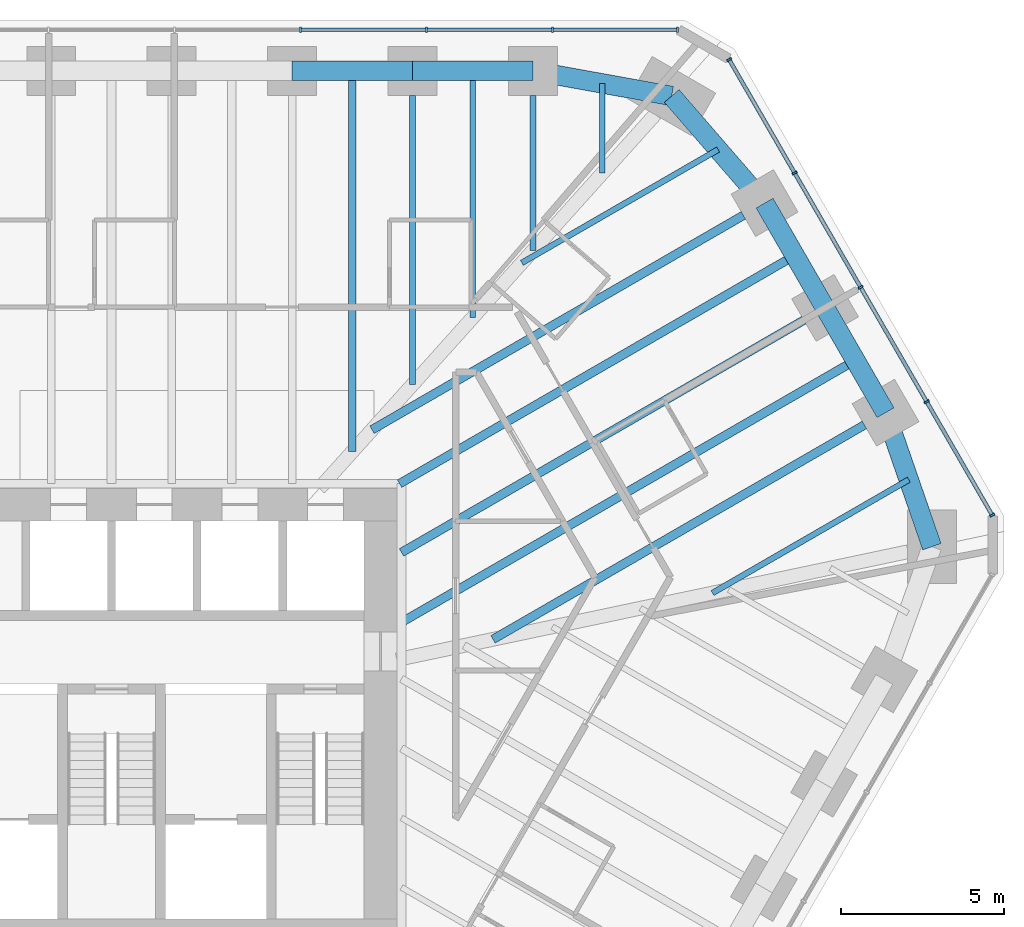
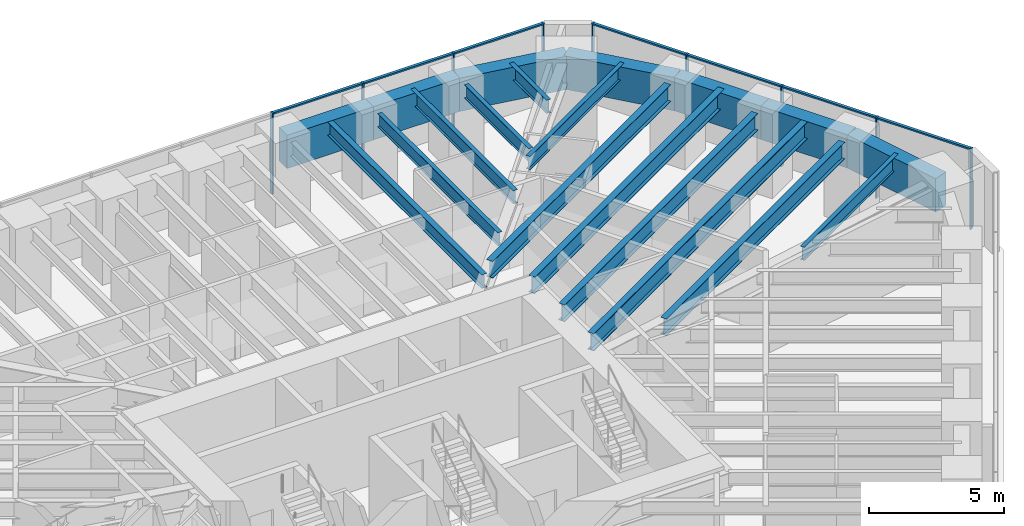
# One storey, part 9 of 16: 19 beams, 16 members, 2 elements without a shape of their own.
"""IFC4 building model written with IfcOpenShell, lengths in metres."""

from ifc_helpers import new_model, si_unit, direction, frame, origin, origin_2d, place, context, subcontext, project, spatial, rectangle, i_section, extrude, material, material_profile, profile_set, type_object, element, aggregate, save


model = new_model("IFC4")

# Units and contexts
model_context = context("Model", 3, precision=1e-05, world=origin(), true_north=direction((0.0, 1.0)))
body_context = subcontext(model_context, "Body", "Model", "MODEL_VIEW")
ifc_project = project(units=[si_unit("LENGTHUNIT", "METRE"), si_unit("AREAUNIT", "SQUARE_METRE"), si_unit("VOLUMEUNIT", "CUBIC_METRE"), si_unit("PLANEANGLEUNIT", "RADIAN"), si_unit("MASSUNIT", "GRAM", prefix="KILO")], contexts=[model_context])

# Site, building, storey
site_placement = place(None, origin())
site = spatial("IfcSite", under=ifc_project, at=site_placement, CompositionType="ELEMENT")
building_placement = place(site_placement, origin())
building = spatial("IfcBuilding", under=site, at=building_placement, Name="Sandreach Pilgrim Tower", CompositionType="ELEMENT")
storey_placement = place(building_placement, frame((0.0, 0.0, 187.0)))
storey = spatial("IfcBuildingStorey", under=building, at=storey_placement, Name="L46", CompositionType="ELEMENT", Elevation=187.0)

# Curtain wall, members
ifc_material_1 = material(Name="Aluminium framed curtain wall", Category="aluminium")
curtain_wall_type = type_object("IfcCurtainWallType", Name="Upper hotel tower curtain wall", PredefinedType="NOTDEFINED", material=ifc_material_1)
curtain_wall_1_placement = place(storey_placement, origin())
curtain_wall_1 = element("IfcCurtainWall", 1, at=curtain_wall_1_placement, inside=storey, type_object=curtain_wall_type, Name="CW-3 L46 N", PredefinedType="NOTDEFINED")
ifc_material_2 = material(Name="Aluminium extrusion", Category="aluminium")
ifc_material_profile_1 = material_profile(ifc_material_2, rectangle(XDim=0.06494140625, YDim=0.159912109375, at=origin_2d()), Name="CW-3M 65X160")
ifc_profile_set_1 = profile_set([ifc_material_profile_1], Name="Aluminium extrusion")
member_type_1 = type_object("IfcMemberType", Name="CW-3 mullion", PredefinedType="MULLION", material=ifc_profile_set_1)
member_1_placement = place(storey_placement, frame((5.796630859375, 21.16015625, 0.0), z_axis=(0.0, 0.0, 1.0), x_axis=(1.0, 0.0, 0.0)))
member_1 = element("IfcMember", 2, at=member_1_placement, type_object=member_type_1, Name="CW-3 mullion 7", PredefinedType="MULLION", context=body_context, shape_type="SweptSolid", body=[
    extrude(rectangle(XDim=0.06494140625, YDim=0.159912109375, at=origin_2d()), origin(), (0.0, 0.0, 1.0), 3.639892578125),
])
member_2_placement = place(storey_placement, frame((9.6611328125, 21.16015625, 0.0), z_axis=(0.0, 0.0, 1.0), x_axis=(1.0, 0.0, 0.0)))
member_2 = element("IfcMember", 3, at=member_2_placement, type_object=member_type_1, Name="CW-3 mullion 8", PredefinedType="MULLION", context=body_context, shape_type="SweptSolid", body=[
    extrude(rectangle(XDim=0.06494140625, YDim=0.159912109375, at=origin_2d()), origin(), (0.0, 0.0, 1.0), 3.639892578125),
])
member_3_placement = place(storey_placement, frame((13.525390625, 21.16015625, 0.0), z_axis=(0.0, 0.0, 1.0), x_axis=(1.0, 0.0, 0.0)))
member_3 = element("IfcMember", 4, at=member_3_placement, type_object=member_type_1, Name="CW-3 mullion 9", PredefinedType="MULLION", context=body_context, shape_type="SweptSolid", body=[
    extrude(rectangle(XDim=0.06494140625, YDim=0.159912109375, at=origin_2d()), origin(), (0.0, 0.0, 1.0), 3.639892578125),
])
member_4_placement = place(storey_placement, frame((17.357421875, 21.16015625, 0.0), z_axis=(0.0, 0.0, 1.0), x_axis=(1.0, 0.0, 0.0)))
member_4 = element("IfcMember", 5, at=member_4_placement, type_object=member_type_1, Name="CW-3 mullion 10", PredefinedType="MULLION", context=body_context, shape_type="SweptSolid", body=[
    extrude(rectangle(XDim=0.06494140625, YDim=0.159912109375, at=origin_2d()), origin(), (0.0, 0.0, 1.0), 3.639892578125),
])

curtain_wall_2_placement = place(storey_placement, origin())
curtain_wall_2 = element("IfcCurtainWall", 6, at=curtain_wall_2_placement, inside=storey, type_object=curtain_wall_type, Name="CW-3 L46 NE", PredefinedType="NOTDEFINED")
member_5_placement = place(storey_placement, frame((18.93896484375, 20.2470703125, 0.0), z_axis=(0.0, 0.0, 1.0), x_axis=(0.5, -0.866025403784, 0.0)))
member_5 = element("IfcMember", 7, at=member_5_placement, type_object=member_type_1, Name="CW-3 mullion 1", PredefinedType="MULLION", context=body_context, shape_type="SweptSolid", body=[
    extrude(rectangle(XDim=0.06494140625, YDim=0.159912109375, at=origin_2d()), origin(), (0.0, 0.0, 1.0), 3.639892578125),
])
member_6_placement = place(storey_placement, frame((20.947021484375, 16.768798828125, 0.0), z_axis=(0.0, 0.0, 1.0), x_axis=(0.5, -0.866025403784, 0.0)))
member_6 = element("IfcMember", 8, at=member_6_placement, type_object=member_type_1, Name="CW-3 mullion 2", PredefinedType="MULLION", context=body_context, shape_type="SweptSolid", body=[
    extrude(rectangle(XDim=0.06494140625, YDim=0.159912109375, at=origin_2d()), origin(), (0.0, 0.0, 1.0), 3.639892578125),
])
member_7_placement = place(storey_placement, frame((22.971435546875, 13.262451171875, 0.0), z_axis=(0.0, 0.0, 1.0), x_axis=(0.5, -0.866025403784, 0.0)))
member_7 = element("IfcMember", 9, at=member_7_placement, type_object=member_type_1, Name="CW-3 mullion 3", PredefinedType="MULLION", context=body_context, shape_type="SweptSolid", body=[
    extrude(rectangle(XDim=0.06494140625, YDim=0.159912109375, at=origin_2d()), origin(), (0.0, 0.0, 1.0), 3.639892578125),
])
member_8_placement = place(storey_placement, frame((24.995849609375, 9.75634765625, 0.0), z_axis=(0.0, 0.0, 1.0), x_axis=(0.5, -0.866025403784, 0.0)))
member_8 = element("IfcMember", 10, at=member_8_placement, type_object=member_type_1, Name="CW-3 mullion 4", PredefinedType="MULLION", context=body_context, shape_type="SweptSolid", body=[
    extrude(rectangle(XDim=0.06494140625, YDim=0.159912109375, at=origin_2d()), origin(), (0.0, 0.0, 1.0), 3.639892578125),
])
member_9_placement = place(storey_placement, frame((27.00390625, 6.278076171875, 0.0), z_axis=(0.0, 0.0, 1.0), x_axis=(0.5, -0.866025403784, 0.0)))
member_9 = element("IfcMember", 11, at=member_9_placement, type_object=member_type_1, Name="CW-3 mullion 5", PredefinedType="MULLION", context=body_context, shape_type="SweptSolid", body=[
    extrude(rectangle(XDim=0.06494140625, YDim=0.159912109375, at=origin_2d()), origin(), (0.0, 0.0, 1.0), 3.639892578125),
])

# Member
ifc_material_3 = material(Name="Aluminium extrusion", Category="aluminium")
ifc_material_profile_2 = material_profile(ifc_material_3, rectangle(XDim=0.1201171875, YDim=0.070068359375, at=origin_2d()), Name="CW-3T 120X70")
ifc_profile_set_2 = profile_set([ifc_material_profile_2], Name="Aluminium extrusion")
member_type_2 = type_object("IfcMemberType", Name="CW-3 transom", PredefinedType="USERDEFINED", material=ifc_profile_set_2)
member_10_placement = place(storey_placement, frame((5.8291015625, 21.16015625, 3.60498046875), z_axis=(1.0, 0.0, 0.0), x_axis=(0.0, 1.0, 0.0)))
member_10 = element("IfcMember", 12, at=member_10_placement, type_object=member_type_2, Name="CW-3 head transom 7", ObjectType="TRANSOM", PredefinedType="USERDEFINED", context=body_context, shape_type="SweptSolid", body=[
    extrude(rectangle(XDim=0.1201171875, YDim=0.070068359375, at=origin_2d()), origin(), (0.0, 0.0, 1.0), 3.799560546875),
])

member_11_placement = place(storey_placement, frame((9.693603515625, 21.16015625, 3.60498046875), z_axis=(1.0, 0.0, 0.0), x_axis=(0.0, 1.0, 0.0)))
member_11 = element("IfcMember", 13, at=member_11_placement, type_object=member_type_2, Name="CW-3 head transom 8", ObjectType="TRANSOM", PredefinedType="USERDEFINED", context=body_context, shape_type="SweptSolid", body=[
    extrude(rectangle(XDim=0.1201171875, YDim=0.070068359375, at=origin_2d()), origin(), (0.0, 0.0, 1.0), 3.79931640625),
])

member_12_placement = place(storey_placement, frame((13.557861328125, 21.16015625, 3.60498046875), z_axis=(1.0, 0.0, 0.0), x_axis=(0.0, 1.0, 0.0)))
member_12 = element("IfcMember", 14, at=member_12_placement, type_object=member_type_2, Name="CW-3 head transom 9", ObjectType="TRANSOM", PredefinedType="USERDEFINED", context=body_context, shape_type="SweptSolid", body=[
    extrude(rectangle(XDim=0.1201171875, YDim=0.070068359375, at=origin_2d()), origin(), (0.0, 0.0, 1.0), 3.76708984375),
])

aggregate(curtain_wall_1, [member_1, member_2, member_3, member_4, member_10, member_11, member_12])

member_13_placement = place(storey_placement, frame((18.955322265625, 20.21875, 3.60498046875), z_axis=(0.499993448556, -0.866029186229, 0.0), x_axis=(0.866029186229, 0.499993448556, 0.0)))
member_13 = element("IfcMember", 15, at=member_13_placement, type_object=member_type_2, Name="CW-3 head transom 1", ObjectType="TRANSOM", PredefinedType="USERDEFINED", context=body_context, shape_type="SweptSolid", body=[
    extrude(rectangle(XDim=0.1201171875, YDim=0.070068359375, at=origin_2d()), origin(), (0.0, 0.0, 1.0), 3.951171875),
])

member_14_placement = place(storey_placement, frame((20.96337890625, 16.74072265625, 3.60498046875), z_axis=(0.499975332564, -0.866039645067, 0.0), x_axis=(0.866039645067, 0.499975332564, 0.0)))
member_14 = element("IfcMember", 16, at=member_14_placement, type_object=member_type_2, Name="CW-3 head transom 2", ObjectType="TRANSOM", PredefinedType="USERDEFINED", context=body_context, shape_type="SweptSolid", body=[
    extrude(rectangle(XDim=0.1201171875, YDim=0.070068359375, at=origin_2d()), origin(), (0.0, 0.0, 1.0), 3.983642578125),
])

member_15_placement = place(storey_placement, frame((22.98779296875, 13.234375, 3.60498046875), z_axis=(0.499975332564, -0.866039645067, 0.0), x_axis=(0.866039645067, 0.499975332564, 0.0)))
member_15 = element("IfcMember", 17, at=member_15_placement, type_object=member_type_2, Name="CW-3 head transom 3", ObjectType="TRANSOM", PredefinedType="USERDEFINED", context=body_context, shape_type="SweptSolid", body=[
    extrude(rectangle(XDim=0.1201171875, YDim=0.070068359375, at=origin_2d()), origin(), (0.0, 0.0, 1.0), 3.983642578125),
])

member_16_placement = place(storey_placement, frame((25.011962890625, 9.728271484375, 3.60498046875), z_axis=(0.499993448556, -0.866029186229, 0.0), x_axis=(0.866029186229, 0.499993448556, 0.0)))
member_16 = element("IfcMember", 18, at=member_16_placement, type_object=member_type_2, Name="CW-3 head transom 4", ObjectType="TRANSOM", PredefinedType="USERDEFINED", context=body_context, shape_type="SweptSolid", body=[
    extrude(rectangle(XDim=0.1201171875, YDim=0.070068359375, at=origin_2d()), origin(), (0.0, 0.0, 1.0), 3.951171875),
])

aggregate(curtain_wall_2, [member_5, member_6, member_7, member_8, member_9, member_13, member_14, member_15, member_16])

# Beams
ifc_material_4 = material(Name="Steel ASTM A992 Grade 50", Category="steel")
ifc_material_profile_3 = material_profile(ifc_material_4, i_section(OverallWidth=0.1787109375, OverallDepth=0.60205078125, WebThickness=0.010986328125, FlangeThickness=0.014892578125, at=origin_2d()), Name="W24X62")
ifc_profile_set_3 = profile_set([ifc_material_profile_3], Name="Steel ASTM A992 Grade 50")
beam_type_1 = type_object("IfcBeamType", Name="Floor beam W24X62", PredefinedType="BEAM", material=ifc_profile_set_3)
beam_1_placement = place(storey_placement, frame((9.231201171875, 19.150146484375, 3.339111328125), z_axis=(0.0, -1.0, 0.0), x_axis=(1.0, 0.0, 0.0)))
element("IfcBeam", 19, at=beam_1_placement, inside=storey, type_object=beam_type_1, Name="BM L46 F07", PredefinedType="BEAM", context=body_context, shape_type="SweptSolid", body=[
    extrude(i_section(OverallWidth=0.1787109375, OverallDepth=0.60205078125, WebThickness=0.010986328125, FlangeThickness=0.014892578125, at=origin_2d()), origin(), (0.0, 0.0, 1.0), 8.86962890625),
])
beam_2_placement = place(storey_placement, frame((12.923828125, 19.150146484375, 3.339111328125), z_axis=(0.0, -1.0, 0.0), x_axis=(1.0, 0.0, 0.0)))
element("IfcBeam", 20, at=beam_2_placement, inside=storey, type_object=beam_type_1, Name="BM L46 F08", PredefinedType="BEAM", context=body_context, shape_type="SweptSolid", body=[
    extrude(i_section(OverallWidth=0.1787109375, OverallDepth=0.60205078125, WebThickness=0.010986328125, FlangeThickness=0.014892578125, at=origin_2d()), origin(), (0.0, 0.0, 1.0), 4.757568359375),
])
beam_3_placement = place(storey_placement, frame((11.077392578125, 19.900146484375, 3.339111328125), z_axis=(0.0, -1.0, 0.0), x_axis=(1.0, 0.0, 0.0)))
element("IfcBeam", 21, at=beam_3_placement, inside=storey, type_object=beam_type_1, Name="BM L46 FM07", PredefinedType="BEAM", context=body_context, shape_type="SweptSolid", body=[
    extrude(i_section(OverallWidth=0.1787109375, OverallDepth=0.60205078125, WebThickness=0.010986328125, FlangeThickness=0.014892578125, at=origin_2d()), origin(), (0.0, 0.0, 1.0), 7.563720703125),
])
beam_4_placement = place(storey_placement, frame((15.05078125, 19.515380859375, 3.339111328125), z_axis=(0.0, -1.0, 0.0), x_axis=(1.0, 0.0, 0.0)))
element("IfcBeam", 22, at=beam_4_placement, inside=storey, type_object=beam_type_1, Name="BM L46 FM08", PredefinedType="BEAM", context=body_context, shape_type="SweptSolid", body=[
    extrude(i_section(OverallWidth=0.1787109375, OverallDepth=0.60205078125, WebThickness=0.010986328125, FlangeThickness=0.014892578125, at=origin_2d()), origin(), (0.0, 0.0, 1.0), 2.75390625),
])
for number, where, z_axis, x_axis, name in (
    (23, (18.6015625, 17.48828125, 3.339111328125), (-0.866029381593, -0.499993110171, 0.0), (0.499993110171, -0.866029381593, 0.0), "BM L46 FM09"),
    (24, (24.446044921875, 7.365234375, 3.339111328125), (-0.866029381593, -0.499993110171, 0.0), (0.499993110171, -0.866029381593, 0.0), "BM L46 FM12"),
):
    element("IfcBeam", number, at=place(storey_placement, frame(where, z_axis=z_axis, x_axis=x_axis)), inside=storey, type_object=beam_type_1, Name=name, PredefinedType="BEAM", context=body_context, shape_type="SweptSolid", body=[
        extrude(i_section(OverallWidth=0.1787109375, OverallDepth=0.60205078125, WebThickness=0.010986328125, FlangeThickness=0.014892578125, at=origin_2d()), origin(), (0.0, 0.0, 1.0), 6.94921875),
    ])
ifc_material_5 = material(Name="Steel ASTM A992 Grade 50", Category="steel")
ifc_material_profile_4 = material_profile(ifc_material_5, i_section(OverallWidth=0.23046875, OverallDepth=0.6171875, WebThickness=0.01318359375, FlangeThickness=0.022216796875, at=origin_2d()), Name="W24X94")
ifc_profile_set_4 = profile_set([ifc_material_profile_4], Name="Steel ASTM A992 Grade 50")
beam_type_2 = type_object("IfcBeamType", Name="Floor beam W24X94", PredefinedType="BEAM", material=ifc_profile_set_4)
beam_5_placement = place(storey_placement, frame((7.385009765625, 19.900146484375, 3.331298828125), z_axis=(0.0, -1.0, 0.0), x_axis=(1.0, 0.0, 0.0)))
element("IfcBeam", 25, at=beam_5_placement, inside=storey, type_object=beam_type_2, Name="BM L46 FM06", PredefinedType="BEAM", context=body_context, shape_type="SweptSolid", body=[
    extrude(i_section(OverallWidth=0.23046875, OverallDepth=0.6171875, WebThickness=0.01318359375, FlangeThickness=0.022216796875, at=origin_2d()), origin(), (0.0, 0.0, 1.0), 11.67578125),
])
ifc_material_6 = material(Name="Steel ASTM A992 Grade 50", Category="steel")
ifc_material_profile_5 = material_profile(ifc_material_6, i_section(OverallWidth=0.2666015625, OverallDepth=0.761962890625, WebThickness=0.014404296875, FlangeThickness=0.021484375, at=origin_2d()), Name="W30X116")
ifc_profile_set_5 = profile_set([ifc_material_profile_5], Name="Steel ASTM A992 Grade 50")
beam_type_3 = type_object("IfcBeamType", Name="Floor beam W30X116", PredefinedType="BEAM", material=ifc_profile_set_5)
beam_6_placement = place(storey_placement, frame((19.37548828125, 15.470947265625, 3.259033203125), z_axis=(-0.866022320763, -0.500005339912, 0.0), x_axis=(0.500005339912, -0.866022320763, 0.0)))
element("IfcBeam", 26, at=beam_6_placement, inside=storey, type_object=beam_type_3, Name="BM L46 F10", PredefinedType="BEAM", context=body_context, shape_type="SweptSolid", body=[
    extrude(i_section(OverallWidth=0.2666015625, OverallDepth=0.761962890625, WebThickness=0.014404296875, FlangeThickness=0.021484375, at=origin_2d()), origin(), (0.0, 0.0, 1.0), 13.148193359375),
])
beam_7_placement = place(storey_placement, frame((21.230712890625, 12.257568359375, 3.259033203125), z_axis=(-0.866024056942, -0.500002332792, 0.0), x_axis=(0.500002332792, -0.866024056942, 0.0)))
element("IfcBeam", 27, at=beam_7_placement, inside=storey, type_object=beam_type_3, Name="BM L46 F11", PredefinedType="BEAM", context=body_context, shape_type="SweptSolid", body=[
    extrude(i_section(OverallWidth=0.2666015625, OverallDepth=0.761962890625, WebThickness=0.014404296875, FlangeThickness=0.021484375, at=origin_2d()), origin(), (0.0, 0.0, 1.0), 14.24609375),
])
beam_8_placement = place(storey_placement, frame((23.0859375, 9.044189453125, 3.259033203125), z_axis=(-0.866026962808, -0.499997299682, 0.0), x_axis=(0.499997299682, -0.866026962808, 0.0)))
element("IfcBeam", 28, at=beam_8_placement, inside=storey, type_object=beam_type_3, Name="BM L46 F12", PredefinedType="BEAM", context=body_context, shape_type="SweptSolid", body=[
    extrude(i_section(OverallWidth=0.2666015625, OverallDepth=0.761962890625, WebThickness=0.014404296875, FlangeThickness=0.021484375, at=origin_2d()), origin(), (0.0, 0.0, 1.0), 13.1484375),
])
beam_9_placement = place(storey_placement, frame((20.95263671875, 14.2392578125, 3.259033203125), z_axis=(-0.866025770688, -0.499999364504, 0.0), x_axis=(0.499999364504, -0.866025770688, 0.0)))
element("IfcBeam", 29, at=beam_9_placement, inside=storey, type_object=beam_type_3, Name="BM L46 FM10", PredefinedType="BEAM", context=body_context, shape_type="SweptSolid", body=[
    extrude(i_section(OverallWidth=0.2666015625, OverallDepth=0.761962890625, WebThickness=0.014404296875, FlangeThickness=0.021484375, at=origin_2d()), origin(), (0.0, 0.0, 1.0), 13.99169921875),
])
ifc_material_7 = material(Name="Steel ASTM A992 Grade 50", Category="steel")
ifc_material_profile_6 = material_profile(ifc_material_7, i_section(OverallWidth=0.2666015625, OverallDepth=0.77978515625, WebThickness=0.0166015625, FlangeThickness=0.030029296875, at=origin_2d()), Name="W30X148")
ifc_profile_set_6 = profile_set([ifc_material_profile_6], Name="Steel ASTM A992 Grade 50")
beam_type_4 = type_object("IfcBeamType", Name="Floor beam W30X148", PredefinedType="BEAM", material=ifc_profile_set_6)
beam_10_placement = place(storey_placement, frame((22.807861328125, 11.02587890625, 3.25), z_axis=(-0.866028701771, -0.499994287676, 0.0), x_axis=(0.499994287676, -0.866028701771, 0.0)))
element("IfcBeam", 30, at=beam_10_placement, inside=storey, type_object=beam_type_4, Name="BM L46 FM11", PredefinedType="BEAM", context=body_context, shape_type="SweptSolid", body=[
    extrude(i_section(OverallWidth=0.2666015625, OverallDepth=0.77978515625, WebThickness=0.0166015625, FlangeThickness=0.030029296875, at=origin_2d()), origin(), (0.0, 0.0, 1.0), 16.067138671875),
])
ifc_material_8 = material(Name="Concrete 10000 psi", Category="concrete")
ifc_material_profile_7 = material_profile(ifc_material_8, rectangle(XDim=0.60009765625, YDim=1.5, at=origin_2d()), Name="RC600X1500")
ifc_profile_set_7 = profile_set([ifc_material_profile_7], Name="Concrete 10000 psi")
beam_type_5 = type_object("IfcBeamType", Name="Spandrel beam RC600X1500", PredefinedType="SPANDREL", material=ifc_profile_set_7)
beam_11_placement = place(storey_placement, frame((5.538818359375, 19.900146484375, 2.889892578125), z_axis=(1.0, 0.0, 0.0), x_axis=(0.0, 1.0, 0.0)))
element("IfcBeam", 31, at=beam_11_placement, inside=storey, type_object=beam_type_5, Name="BM L46 SP06", PredefinedType="SPANDREL", context=body_context, shape_type="SweptSolid", body=[
    extrude(rectangle(XDim=0.60009765625, YDim=1.5, at=origin_2d()), origin(), (0.0, 0.0, 1.0), 3.6923828125),
])
beam_12_placement = place(storey_placement, frame((9.231201171875, 19.900146484375, 2.889892578125), z_axis=(1.0, 0.0, 0.0), x_axis=(0.0, 1.0, 0.0)))
element("IfcBeam", 32, at=beam_12_placement, inside=storey, type_object=beam_type_5, Name="BM L46 SP07", PredefinedType="SPANDREL", context=body_context, shape_type="SweptSolid", body=[
    extrude(rectangle(XDim=0.60009765625, YDim=1.5, at=origin_2d()), origin(), (0.0, 0.0, 1.0), 3.692626953125),
])
beam_13_placement = place(storey_placement, frame((12.923828125, 19.900146484375, 2.889892578125), z_axis=(0.984030345637, -0.178000783326, 0.0), x_axis=(0.178000783326, 0.984030345637, 0.0)))
element("IfcBeam", 33, at=beam_13_placement, inside=storey, type_object=beam_type_5, Name="BM L46 SP08", PredefinedType="SPANDREL", context=body_context, shape_type="SweptSolid", body=[
    extrude(rectangle(XDim=0.60009765625, YDim=1.5, at=origin_2d()), origin(), (0.0, 0.0, 1.0), 4.3232421875),
])
beam_14_placement = place(storey_placement, frame((17.177978515625, 19.130615234375, 2.889892578125), z_axis=(0.65499040715, -0.755637192402, 0.0), x_axis=(0.755637192402, 0.65499040715, 0.0)))
element("IfcBeam", 34, at=beam_14_placement, inside=storey, type_object=beam_type_5, Name="BM L46 SP09", PredefinedType="SPANDREL", context=body_context, shape_type="SweptSolid", body=[
    extrude(rectangle(XDim=0.60009765625, YDim=1.5, at=origin_2d()), origin(), (0.0, 0.0, 1.0), 4.346923828125),
])
for number, where, z_axis, x_axis, name in (
    (35, (20.025146484375, 15.845947265625, 2.889892578125), (0.499995842751, -0.86602780396, 0.0), (0.86602780396, 0.499995842751, 0.0), "BM L46 SP10"),
    (36, (21.88037109375, 12.632568359375, 2.889892578125), (0.499946491854, -0.866056294523, 0.0), (0.866056294523, 0.499946491854, 0.0), "BM L46 SP11"),
):
    element("IfcBeam", number, at=place(storey_placement, frame(where, z_axis=z_axis, x_axis=x_axis)), inside=storey, type_object=beam_type_5, Name=name, PredefinedType="SPANDREL", context=body_context, shape_type="SweptSolid", body=[
        extrude(rectangle(XDim=0.60009765625, YDim=1.5, at=origin_2d()), origin(), (0.0, 0.0, 1.0), 3.71044921875),
    ])
beam_15_placement = place(storey_placement, frame((23.7353515625, 9.419189453125, 2.889892578125), z_axis=(0.326940800053, -0.945044820768, 0.0), x_axis=(0.945044820768, 0.326940800053, 0.0)))
element("IfcBeam", 37, at=beam_15_placement, inside=storey, type_object=beam_type_5, Name="BM L46 SP12", PredefinedType="SPANDREL", context=body_context, shape_type="SweptSolid", body=[
    extrude(rectangle(XDim=0.60009765625, YDim=1.5, at=origin_2d()), origin(), (0.0, 0.0, 1.0), 4.3466796875),
])

save(model, "model.ifc")
